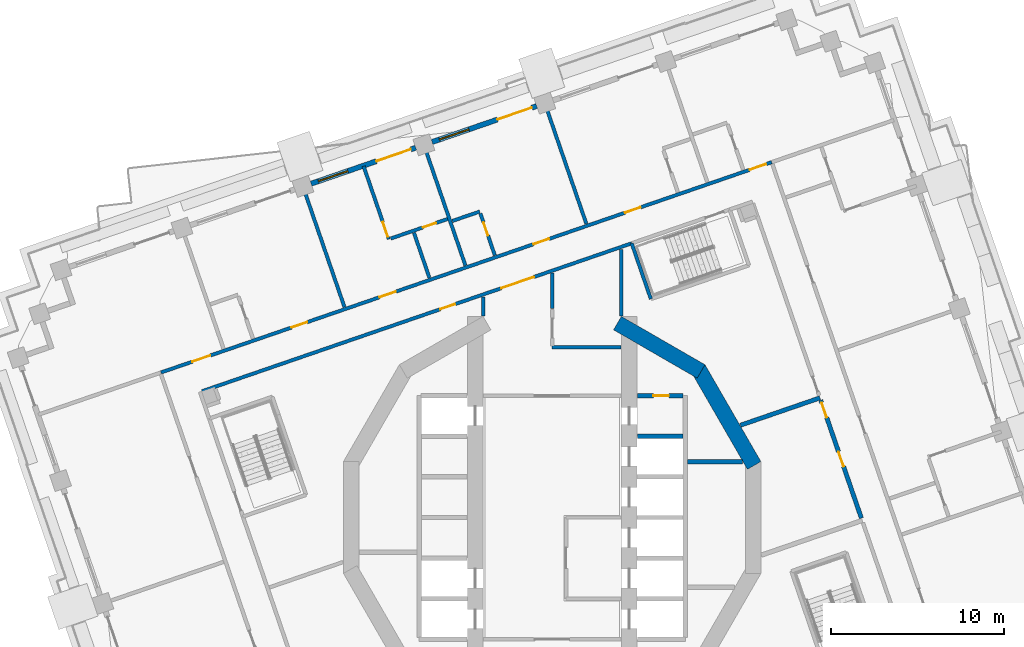
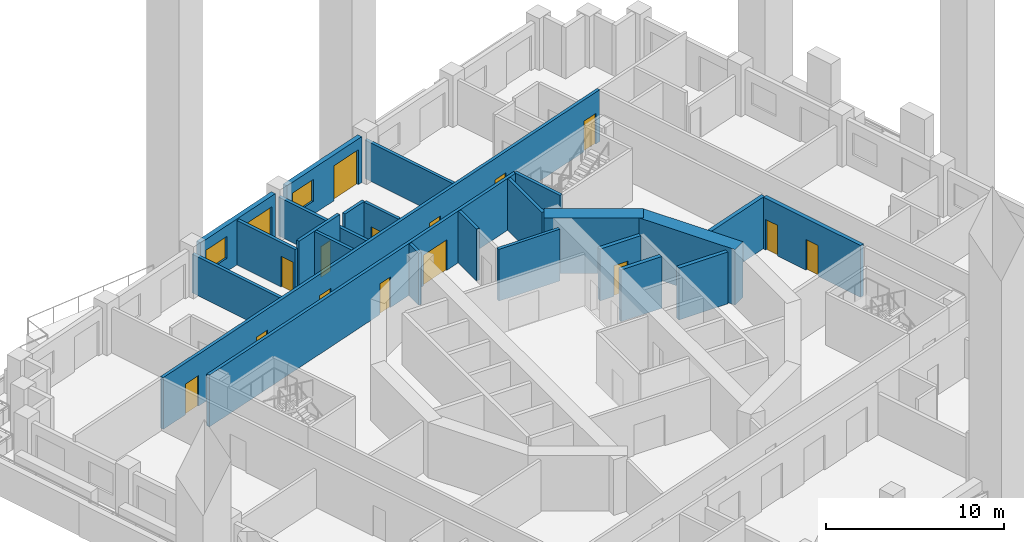
# One storey, part 7 of 18: 24 walls, 16 doors, 2 windows, 18 openings.
"""IFC4 building model written with IfcOpenShell, lengths in metres."""

from ifc_helpers import new_model, si_unit, direction, frame, frame_2d, origin, place, context, subcontext, project, spatial, rectangle, extrude, material, layer, layer_set, type_object, element, fill, save


model = new_model("IFC4")

# Units and contexts
model_context = context("Model", 3, precision=1e-05, world=origin(), true_north=direction((0.0, 1.0)))
body_context = subcontext(model_context, "Body", "Model", "MODEL_VIEW")
ifc_project = project(units=[si_unit("LENGTHUNIT", "METRE"), si_unit("AREAUNIT", "SQUARE_METRE"), si_unit("VOLUMEUNIT", "CUBIC_METRE"), si_unit("PLANEANGLEUNIT", "RADIAN"), si_unit("MASSUNIT", "GRAM", prefix="KILO")], contexts=[model_context])

# Site, building, storey
site_placement = place(None, origin())
site = spatial("IfcSite", under=ifc_project, at=site_placement, CompositionType="ELEMENT")
building_placement = place(site_placement, origin())
building = spatial("IfcBuilding", under=site, at=building_placement, Name="Cantera Rosa Tower", CompositionType="ELEMENT")
storey_placement = place(building_placement, frame((0.0, 0.0, 100.300048828125)))
storey = spatial("IfcBuildingStorey", under=building, at=storey_placement, Name="L19", CompositionType="ELEMENT", Elevation=100.300048828125)

# Walls
ifc_material_1 = material(Name="Gypsum board partition")
ifc_layer_1 = layer(ifc_material_1, 0.199951171875)
ifc_layer_set_1 = layer_set([ifc_layer_1], Name="CORRIDOR WALL 200 H3550")
wall_type_1 = type_object("IfcWallType", Name="CORRIDOR WALL 200 H3550", PredefinedType="PARTITIONING", material=ifc_layer_set_1)
wall_1_placement = place(storey_placement, frame((-4.0, 12.760498046875, 0.0), z_axis=(0.0, 0.0, 1.0), x_axis=(0.0, -1.0, 0.0)))
element("IfcWall", 1, at=wall_1_placement, inside=storey, type_object=wall_type_1, Name="CORRIDOR WALL L19-048", PredefinedType="PARTITIONING", context=body_context, shape_type="SweptSolid", body=[
    extrude(rectangle(XDim=1.09326171875, YDim=0.199951171875, at=frame_2d((0.546630859375, 0.0))), origin(), (0.0, 0.0, 1.0), 3.550048828125),
])
wall_2_placement = place(storey_placement, frame((0.0, 9.85009765625, 0.0), z_axis=(0.0, 0.0, 1.0), x_axis=(1.0, 0.0, 0.0)))
element("IfcWall", 2, at=wall_2_placement, inside=storey, type_object=wall_type_1, Name="CORRIDOR WALL L19-053", PredefinedType="PARTITIONING", context=body_context, shape_type="SweptSolid", body=[
    extrude(rectangle(XDim=3.969970703125, YDim=0.199951171875, at=frame_2d((1.98486328125, 0.0))), origin(), (0.0, 0.0, 1.0), 3.550048828125),
])
wall_3_placement = place(storey_placement, frame((0.0, 14.137939453125, 0.0), z_axis=(0.0, 0.0, 1.0), x_axis=(0.0, -1.0, 0.0)))
element("IfcWall", 3, at=wall_3_placement, inside=storey, type_object=wall_type_1, Name="CORRIDOR WALL L19-055", PredefinedType="PARTITIONING", context=body_context, shape_type="SweptSolid", body=[
    extrude(rectangle(XDim=2.033935546875, YDim=0.199951171875, at=frame_2d((1.01708984375, 0.0))), origin(), (0.0, 0.0, 1.0), 3.550048828125),
])

# Wall, openings, doors
wall_4_placement = place(storey_placement, frame((4.599365234375, 15.861572265625, 0.0), z_axis=(0.0, 0.0, 1.0), x_axis=(-0.94551912499, -0.325566558907, 0.0)))
wall_4 = element("IfcWall", 4, at=wall_4_placement, inside=storey, type_object=wall_type_1, Name="CORRIDOR WALL L19-063", PredefinedType="PARTITIONING", context=body_context, shape_type="SweptSolid", body=[
    extrude(rectangle(XDim=26.292724609375, YDim=0.199951171875, at=frame_2d((13.146484375, 0.0))), origin(), (0.0, 0.0, 1.0), 3.550048828125),
])
opening_1_placement = place(wall_4_placement, frame((10.8095703125, 0.0, 0.0)))
opening_1 = element("IfcOpeningElement", 5, at=opening_1_placement, cuts=wall_4, Name="Opening L19-005", PredefinedType="OPENING", context=body_context, shape_type="SweptSolid", body=[
    extrude(rectangle(XDim=0.89990234375, YDim=2.10009765625, at=frame_2d((0.449951171875, 1.050048828125))), frame((0.0, 0.10986328125, 0.0), z_axis=(0.0, -1.0, 0.0), x_axis=(1.0, 0.0, 0.0)), (0.0, 0.0, 1.0), 0.219970703125),
])
opening_2_placement = place(wall_4_placement, frame((5.9794921875, 0.0, 0.0)))
opening_2 = element("IfcOpeningElement", 6, at=opening_2_placement, cuts=wall_4, Name="Opening L19-010", PredefinedType="OPENING", context=body_context, shape_type="SweptSolid", body=[
    extrude(rectangle(XDim=2.0, YDim=2.10009765625, at=frame_2d((1.0, 1.050048828125))), frame((0.0, 0.10986328125, 0.0), z_axis=(0.0, -1.0, 0.0), x_axis=(1.0, 0.0, 0.0)), (0.0, 0.0, 1.0), 0.219970703125),
])
ifc_material_2 = material(Name="Steel S355J2 (EN 10025-2)", Category="steel")
door_type_1 = type_object("IfcDoorType", Name="LOBBY SCREEN DOOR 2000x2100", OperationType="NOTDEFINED", PredefinedType="DOOR", material=ifc_material_2)
door_1_placement = place(opening_2_placement, origin())
door_1 = element("IfcDoor", 7, at=door_1_placement, inside=storey, type_object=door_type_1, Name="DOOR L19-010", OperationType="NOTDEFINED", OverallHeight=2.10009765625, OverallWidth=2.0, PredefinedType="DOOR", context=body_context, shape_type="SweptSolid", body=[
    extrude(rectangle(XDim=2.0, YDim=2.10009765625, at=frame_2d((1.0, 1.050048828125))), frame((0.0, 0.02490234375, 0.0), z_axis=(0.0, -1.0, 0.0), x_axis=(1.0, 0.0, 0.0)), (0.0, 0.0, 1.0), 0.050048828125),
])
fill(opening_2, door_1)
ifc_material_3 = material(Name="Timber door leaf", Category="wood")
door_type_2 = type_object("IfcDoorType", Name="SERVICE DOOR 900x2100", OperationType="NOTDEFINED", PredefinedType="DOOR", material=ifc_material_3)
door_2_placement = place(opening_1_placement, origin())
door_2 = element("IfcDoor", 8, at=door_2_placement, inside=storey, type_object=door_type_2, Name="DOOR L19-005", OperationType="NOTDEFINED", OverallHeight=2.10009765625, OverallWidth=0.89990234375, PredefinedType="DOOR", context=body_context, shape_type="SweptSolid", body=[
    extrude(rectangle(XDim=0.89990234375, YDim=2.10009765625, at=frame_2d((0.449951171875, 1.050048828125))), frame((0.0, 0.02490234375, 0.0), z_axis=(0.0, -1.0, 0.0), x_axis=(1.0, 0.0, 0.0)), (0.0, 0.0, 1.0), 0.050048828125),
])
fill(opening_1, door_2)

wall_5_placement = place(storey_placement, frame((12.699951171875, 20.5546875, 0.0), z_axis=(0.0, 0.0, 1.0), x_axis=(-0.945517404909, -0.325571554368, 0.0)))
wall_5 = element("IfcWall", 9, at=wall_5_placement, inside=storey, type_object=wall_type_1, Name="CORRIDOR WALL L19-087", PredefinedType="PARTITIONING", context=body_context, shape_type="SweptSolid", body=[
    extrude(rectangle(XDim=37.35986328125, YDim=0.199951171875, at=frame_2d((18.679931640625, 0.0))), origin(), (0.0, 0.0, 1.0), 3.550048828125),
])
opening_3_placement = place(wall_5_placement, frame((8.02490234375, 0.0, 0.0)))
opening_3 = element("IfcOpeningElement", 10, at=opening_3_placement, cuts=wall_5, Name="Opening L19-024", PredefinedType="OPENING", context=body_context, shape_type="SweptSolid", body=[
    extrude(rectangle(XDim=0.949951171875, YDim=2.10009765625, at=frame_2d((0.47509765625, 1.050048828125))), frame((0.0, 0.10986328125, 0.0), z_axis=(0.0, -1.0, 0.0), x_axis=(1.0, 0.0, 0.0)), (0.0, 0.0, 1.0), 0.219970703125),
])
opening_4_placement = place(wall_5_placement, frame((13.625, 0.0, 0.0)))
opening_4 = element("IfcOpeningElement", 11, at=opening_4_placement, cuts=wall_5, Name="Opening L19-026", PredefinedType="OPENING", context=body_context, shape_type="SweptSolid", body=[
    extrude(rectangle(XDim=0.949951171875, YDim=2.10009765625, at=frame_2d((0.47509765625, 1.050048828125))), frame((0.0, 0.10986328125, 0.0), z_axis=(0.0, -1.0, 0.0), x_axis=(1.0, 0.0, 0.0)), (0.0, 0.0, 1.0), 0.219970703125),
])
opening_5_placement = place(wall_5_placement, frame((23.0, 0.0, 0.0)))
opening_5 = element("IfcOpeningElement", 12, at=opening_5_placement, cuts=wall_5, Name="Opening L19-028", PredefinedType="OPENING", context=body_context, shape_type="SweptSolid", body=[
    extrude(rectangle(XDim=1.0, YDim=2.10009765625, at=frame_2d((0.5, 1.050048828125))), frame((0.0, 0.10986328125, 0.0), z_axis=(0.0, -1.0, 0.0), x_axis=(1.0, 0.0, 0.0)), (0.0, 0.0, 1.0), 0.219970703125),
])
opening_6_placement = place(wall_5_placement, frame((28.425048828125, 0.0, 0.0)))
opening_6 = element("IfcOpeningElement", 13, at=opening_6_placement, cuts=wall_5, Name="Opening L19-031", PredefinedType="OPENING", context=body_context, shape_type="SweptSolid", body=[
    extrude(rectangle(XDim=0.949951171875, YDim=2.10009765625, at=frame_2d((0.47509765625, 1.050048828125))), frame((0.0, 0.10986328125, 0.0), z_axis=(0.0, -1.0, 0.0), x_axis=(1.0, 0.0, 0.0)), (0.0, 0.0, 1.0), 0.219970703125),
])
opening_7_placement = place(wall_5_placement, frame((0.35009765625, 0.0, 0.0)))
opening_7 = element("IfcOpeningElement", 14, at=opening_7_placement, cuts=wall_5, Name="Opening L19-033", PredefinedType="OPENING", context=body_context, shape_type="SweptSolid", body=[
    extrude(rectangle(XDim=1.0, YDim=2.10009765625, at=frame_2d((0.5, 1.050048828125))), frame((0.0, 0.10986328125, 0.0), z_axis=(0.0, -1.0, 0.0), x_axis=(1.0, 0.0, 0.0)), (0.0, 0.0, 1.0), 0.219970703125),
])
opening_8_placement = place(wall_5_placement, frame((34.35009765625, 0.0, 0.0)))
opening_8 = element("IfcOpeningElement", 15, at=opening_8_placement, cuts=wall_5, Name="Opening L19-035", PredefinedType="OPENING", context=body_context, shape_type="SweptSolid", body=[
    extrude(rectangle(XDim=1.10009765625, YDim=2.10009765625, at=frame_2d((0.550048828125, 1.050048828125))), frame((0.0, 0.10986328125, 0.0), z_axis=(0.0, -1.0, 0.0), x_axis=(1.0, 0.0, 0.0)), (0.0, 0.0, 1.0), 0.219970703125),
])
ifc_material_4 = material(Name="Timber door leaf", Category="wood")
door_type_3 = type_object("IfcDoorType", Name="ENTRANCE DOOR 1000x2100", OperationType="NOTDEFINED", PredefinedType="DOOR", material=ifc_material_4)
door_3_placement = place(opening_5_placement, origin())
door_3 = element("IfcDoor", 16, at=door_3_placement, inside=storey, type_object=door_type_3, Name="DOOR L19-028", OperationType="NOTDEFINED", OverallHeight=2.10009765625, OverallWidth=1.0, PredefinedType="DOOR", context=body_context, shape_type="SweptSolid", body=[
    extrude(rectangle(XDim=1.0, YDim=2.10009765625, at=frame_2d((0.5, 1.050048828125))), frame((0.0, 0.02490234375, 0.0), z_axis=(0.0, -1.0, 0.0), x_axis=(1.0, 0.0, 0.0)), (0.0, 0.0, 1.0), 0.050048828125),
])
fill(opening_5, door_3)
door_4_placement = place(opening_7_placement, origin())
door_4 = element("IfcDoor", 17, at=door_4_placement, inside=storey, type_object=door_type_3, Name="DOOR L19-033", OperationType="NOTDEFINED", OverallHeight=2.10009765625, OverallWidth=1.0, PredefinedType="DOOR", context=body_context, shape_type="SweptSolid", body=[
    extrude(rectangle(XDim=1.0, YDim=2.10009765625, at=frame_2d((0.5, 1.050048828125))), frame((0.0, 0.02490234375, 0.0), z_axis=(0.0, -1.0, 0.0), x_axis=(1.0, 0.0, 0.0)), (0.0, 0.0, 1.0), 0.050048828125),
])
fill(opening_7, door_4)
ifc_material_5 = material(Name="Timber door leaf", Category="wood")
door_type_4 = type_object("IfcDoorType", Name="ROOM DOOR 1100x2100", OperationType="NOTDEFINED", PredefinedType="DOOR", material=ifc_material_5)
door_5_placement = place(opening_8_placement, origin())
door_5 = element("IfcDoor", 18, at=door_5_placement, inside=storey, type_object=door_type_4, Name="DOOR L19-035", OperationType="NOTDEFINED", OverallHeight=2.10009765625, OverallWidth=1.10009765625, PredefinedType="DOOR", context=body_context, shape_type="SweptSolid", body=[
    extrude(rectangle(XDim=1.10009765625, YDim=2.10009765625, at=frame_2d((0.550048828125, 1.050048828125))), frame((0.0, 0.02490234375, 0.0), z_axis=(0.0, -1.0, 0.0), x_axis=(1.0, 0.0, 0.0)), (0.0, 0.0, 1.0), 0.050048828125),
])
fill(opening_8, door_5)
ifc_material_6 = material(Name="Timber door leaf", Category="wood")
door_type_5 = type_object("IfcDoorType", Name="ROOM DOOR 950x2100", OperationType="NOTDEFINED", PredefinedType="DOOR", material=ifc_material_6)
door_6_placement = place(opening_3_placement, origin())
door_6 = element("IfcDoor", 19, at=door_6_placement, inside=storey, type_object=door_type_5, Name="DOOR L19-024", OperationType="NOTDEFINED", OverallHeight=2.10009765625, OverallWidth=0.949951171875, PredefinedType="DOOR", context=body_context, shape_type="SweptSolid", body=[
    extrude(rectangle(XDim=0.949951171875, YDim=2.10009765625, at=frame_2d((0.47509765625, 1.050048828125))), frame((0.0, 0.02490234375, 0.0), z_axis=(0.0, -1.0, 0.0), x_axis=(1.0, 0.0, 0.0)), (0.0, 0.0, 1.0), 0.050048828125),
])
fill(opening_3, door_6)
door_7_placement = place(opening_4_placement, origin())
door_7 = element("IfcDoor", 20, at=door_7_placement, inside=storey, type_object=door_type_5, Name="DOOR L19-026", OperationType="NOTDEFINED", OverallHeight=2.10009765625, OverallWidth=0.949951171875, PredefinedType="DOOR", context=body_context, shape_type="SweptSolid", body=[
    extrude(rectangle(XDim=0.949951171875, YDim=2.10009765625, at=frame_2d((0.47509765625, 1.050048828125))), frame((0.0, 0.02490234375, 0.0), z_axis=(0.0, -1.0, 0.0), x_axis=(1.0, 0.0, 0.0)), (0.0, 0.0, 1.0), 0.050048828125),
])
fill(opening_4, door_7)
door_8_placement = place(opening_6_placement, origin())
door_8 = element("IfcDoor", 21, at=door_8_placement, inside=storey, type_object=door_type_5, Name="DOOR L19-031", OperationType="NOTDEFINED", OverallHeight=2.10009765625, OverallWidth=0.949951171875, PredefinedType="DOOR", context=body_context, shape_type="SweptSolid", body=[
    extrude(rectangle(XDim=0.949951171875, YDim=2.10009765625, at=frame_2d((0.47509765625, 1.050048828125))), frame((0.0, 0.02490234375, 0.0), z_axis=(0.0, -1.0, 0.0), x_axis=(1.0, 0.0, 0.0)), (0.0, 0.0, 1.0), 0.050048828125),
])
fill(opening_6, door_8)

# Wall, openings, window, door
ifc_material_7 = material(Name="Hollow clay masonry with cantera stone cladding", Category="masonry")
ifc_layer_2 = layer(ifc_material_7, 0.300048828125)
ifc_layer_set_2 = layer_set([ifc_layer_2], Name="EW-LOGGIA 300 H3140")
wall_type_2 = type_object("IfcWallType", Name="EW-LOGGIA 300 H3140", PredefinedType="SOLIDWALL", material=ifc_layer_set_2)
wall_6_placement = place(storey_placement, frame((-0.89892578125, 23.80419921875, 0.0), z_axis=(0.0, 0.0, 1.0), x_axis=(-0.945524496524, -0.325550958337, 0.0)))
wall_6 = element("IfcWall", 22, at=wall_6_placement, inside=storey, type_object=wall_type_2, Name="EN-L19-W10", PredefinedType="SOLIDWALL", context=body_context, shape_type="SweptSolid", body=[
    extrude(rectangle(XDim=6.39990234375, YDim=0.300048828125, at=frame_2d((3.199951171875, 0.0))), origin(), (0.0, 0.0, 1.0), 3.139892578125),
])
opening_9_placement = place(wall_6_placement, frame((0.300048828125, 0.0, 0.0)))
opening_9 = element("IfcOpeningElement", 23, at=opening_9_placement, cuts=wall_6, Name="Opening L19-TD15", PredefinedType="OPENING", context=body_context, shape_type="SweptSolid", body=[
    extrude(rectangle(XDim=2.10009765625, YDim=2.39990234375, at=frame_2d((1.050048828125, 1.199951171875))), frame((0.0, 0.159912109375, 0.0), z_axis=(0.0, -1.0, 0.0), x_axis=(1.0, 0.0, 0.0)), (0.0, 0.0, 1.0), 0.320068359375),
])
opening_10_placement = place(wall_6_placement, frame((4.14990234375, 0.0, 0.89990234375)))
opening_10 = element("IfcOpeningElement", 24, at=opening_10_placement, cuts=wall_6, Name="Opening L19-W16", PredefinedType="OPENING", context=body_context, shape_type="SweptSolid", body=[
    extrude(rectangle(XDim=1.800048828125, YDim=1.5, at=frame_2d((0.89990234375, 0.75))), frame((0.0, 0.159912109375, 0.0), z_axis=(0.0, -1.0, 0.0), x_axis=(1.0, 0.0, 0.0)), (0.0, 0.0, 1.0), 0.320068359375),
])
ifc_material_8 = material(Name="Aluminium frame with clear glass", Category="aluminium")
window_type = type_object("IfcWindowType", Name="Hotel room window 1800x1500", PartitioningType="DOUBLE_PANEL_VERTICAL", PredefinedType="WINDOW", material=ifc_material_8)
window_1_placement = place(opening_10_placement, origin())
window_1 = element("IfcWindow", 25, at=window_1_placement, inside=storey, type_object=window_type, Name="WINDOW L19-W16", OverallHeight=1.5, OverallWidth=1.800048828125, PartitioningType="SINGLE_PANEL", PredefinedType="WINDOW", context=body_context, shape_type="SweptSolid", body=[
    extrude(rectangle(XDim=1.800048828125, YDim=1.5, at=frame_2d((0.89990234375, 0.75))), frame((0.0, 0.030029296875, 0.0), z_axis=(0.0, -1.0, 0.0), x_axis=(1.0, 0.0, 0.0)), (0.0, 0.0, 1.0), 0.06005859375),
])
fill(opening_10, window_1)
ifc_material_9 = material(Name="Aluminium frame with clear glass", Category="aluminium")
door_type_6 = type_object("IfcDoorType", Name="TD-H 2100x2400", OperationType="NOTDEFINED", PredefinedType="DOOR", material=ifc_material_9)
door_9_placement = place(opening_9_placement, origin())
door_9 = element("IfcDoor", 26, at=door_9_placement, inside=storey, type_object=door_type_6, Name="LOGGIA DOOR L19-TD15", OperationType="SLIDING_TO_LEFT", OverallHeight=2.39990234375, OverallWidth=2.10009765625, PredefinedType="DOOR", context=body_context, shape_type="SweptSolid", body=[
    extrude(rectangle(XDim=2.10009765625, YDim=2.39990234375, at=frame_2d((1.050048828125, 1.199951171875))), frame((0.0, 0.02490234375, 0.0), z_axis=(0.0, -1.0, 0.0), x_axis=(1.0, 0.0, 0.0)), (0.0, 0.0, 1.0), 0.050048828125),
])
fill(opening_9, door_9)

wall_7_placement = place(storey_placement, frame((-7.895751953125, 21.39501953125, 0.0), z_axis=(0.0, 0.0, 1.0), x_axis=(-0.945524496524, -0.325550958337, 0.0)))
wall_7 = element("IfcWall", 27, at=wall_7_placement, inside=storey, type_object=wall_type_2, Name="EN-L19-W11", PredefinedType="SOLIDWALL", context=body_context, shape_type="SweptSolid", body=[
    extrude(rectangle(XDim=6.39990234375, YDim=0.300048828125, at=frame_2d((3.199951171875, 0.0))), origin(), (0.0, 0.0, 1.0), 3.139892578125),
])
opening_11_placement = place(wall_7_placement, frame((0.300048828125, 0.0, 0.0)))
opening_11 = element("IfcOpeningElement", 28, at=opening_11_placement, cuts=wall_7, Name="Opening L19-TD17", PredefinedType="OPENING", context=body_context, shape_type="SweptSolid", body=[
    extrude(rectangle(XDim=2.10009765625, YDim=2.39990234375, at=frame_2d((1.050048828125, 1.199951171875))), frame((0.0, 0.159912109375, 0.0), z_axis=(0.0, -1.0, 0.0), x_axis=(1.0, 0.0, 0.0)), (0.0, 0.0, 1.0), 0.320068359375),
])
opening_12_placement = place(wall_7_placement, frame((4.14990234375, 0.0, 0.89990234375)))
opening_12 = element("IfcOpeningElement", 29, at=opening_12_placement, cuts=wall_7, Name="Opening L19-W18", PredefinedType="OPENING", context=body_context, shape_type="SweptSolid", body=[
    extrude(rectangle(XDim=1.800048828125, YDim=1.5, at=frame_2d((0.89990234375, 0.75))), frame((0.0, 0.159912109375, 0.0), z_axis=(0.0, -1.0, 0.0), x_axis=(1.0, 0.0, 0.0)), (0.0, 0.0, 1.0), 0.320068359375),
])
window_2_placement = place(opening_12_placement, origin())
window_2 = element("IfcWindow", 30, at=window_2_placement, inside=storey, type_object=window_type, Name="WINDOW L19-W18", OverallHeight=1.5, OverallWidth=1.800048828125, PartitioningType="SINGLE_PANEL", PredefinedType="WINDOW", context=body_context, shape_type="SweptSolid", body=[
    extrude(rectangle(XDim=1.800048828125, YDim=1.5, at=frame_2d((0.89990234375, 0.75))), frame((0.0, 0.030029296875, 0.0), z_axis=(0.0, -1.0, 0.0), x_axis=(1.0, 0.0, 0.0)), (0.0, 0.0, 1.0), 0.06005859375),
])
fill(opening_12, window_2)
door_10_placement = place(opening_11_placement, origin())
door_10 = element("IfcDoor", 31, at=door_10_placement, inside=storey, type_object=door_type_6, Name="LOGGIA DOOR L19-TD17", OperationType="SLIDING_TO_LEFT", OverallHeight=2.39990234375, OverallWidth=2.10009765625, PredefinedType="DOOR", context=body_context, shape_type="SweptSolid", body=[
    extrude(rectangle(XDim=2.10009765625, YDim=2.39990234375, at=frame_2d((1.050048828125, 1.199951171875))), frame((0.0, 0.02490234375, 0.0), z_axis=(0.0, -1.0, 0.0), x_axis=(1.0, 0.0, 0.0)), (0.0, 0.0, 1.0), 0.050048828125),
])
fill(opening_11, door_10)

# Wall, opening, door
ifc_material_10 = material(Name="Gypsum board partition")
ifc_layer_3 = layer(ifc_material_10, 0.199951171875)
ifc_layer_set_3 = layer_set([ifc_layer_3], Name="PARTITION 200 H3050")
wall_type_3 = type_object("IfcWallType", Name="PARTITION 200 H3050", PredefinedType="PARTITIONING", material=ifc_layer_set_3)
wall_8_placement = place(storey_placement, frame((-9.456298828125, 16.098388671875, 0.0), z_axis=(0.0, 0.0, 1.0), x_axis=(-0.325568171973, 0.945518569568, 0.0)))
wall_8 = element("IfcWall", 32, at=wall_8_placement, inside=storey, type_object=wall_type_3, Name="PARTITION L19-029", PredefinedType="PARTITIONING", context=body_context, shape_type="SweptSolid", body=[
    extrude(rectangle(XDim=4.47021484375, YDim=0.199951171875, at=frame_2d((2.235107421875, 0.0))), origin(), (0.0, 0.0, 1.0), 3.050048828125),
])
opening_13_placement = place(wall_8_placement, frame((0.14990234375, 0.0, 0.0)))
opening_13 = element("IfcOpeningElement", 33, at=opening_13_placement, cuts=wall_8, Name="Opening L19-029", PredefinedType="OPENING", context=body_context, shape_type="SweptSolid", body=[
    extrude(rectangle(XDim=0.89990234375, YDim=2.10009765625, at=frame_2d((0.449951171875, 1.050048828125))), frame((0.0, 0.10986328125, 0.0), z_axis=(0.0, -1.0, 0.0), x_axis=(1.0, 0.0, 0.0)), (0.0, 0.0, 1.0), 0.219970703125),
])
ifc_material_11 = material(Name="Timber door leaf", Category="wood")
door_type_7 = type_object("IfcDoorType", Name="ROOM DOOR 900x2100", OperationType="NOTDEFINED", PredefinedType="DOOR", material=ifc_material_11)
door_11_placement = place(opening_13_placement, origin())
door_11 = element("IfcDoor", 34, at=door_11_placement, inside=storey, type_object=door_type_7, Name="DOOR L19-029", OperationType="NOTDEFINED", OverallHeight=2.10009765625, OverallWidth=0.89990234375, PredefinedType="DOOR", context=body_context, shape_type="SweptSolid", body=[
    extrude(rectangle(XDim=0.89990234375, YDim=2.10009765625, at=frame_2d((0.449951171875, 1.050048828125))), frame((0.0, 0.02490234375, 0.0), z_axis=(0.0, -1.0, 0.0), x_axis=(1.0, 0.0, 0.0)), (0.0, 0.0, 1.0), 0.050048828125),
])
fill(opening_13, door_11)

# Wall
ifc_material_12 = material(Name="Gypsum board partition")
ifc_layer_4 = layer(ifc_material_12, 0.199951171875)
ifc_layer_set_4 = layer_set([ifc_layer_4], Name="PARTITION 200 H3550")
wall_type_4 = type_object("IfcWallType", Name="PARTITION 200 H3550", PredefinedType="PARTITIONING", material=ifc_layer_set_4)
wall_9_placement = place(storey_placement, frame((-7.100341796875, 13.863525390625, 0.0), z_axis=(0.0, 0.0, 1.0), x_axis=(-0.325579051861, 0.945514823252, 0.0)))
element("IfcWall", 35, at=wall_9_placement, inside=storey, type_object=wall_type_4, Name="PARTITION L19-039", PredefinedType="PARTITIONING", context=body_context, shape_type="SweptSolid", body=[
    extrude(rectangle(XDim=2.76025390625, YDim=0.199951171875, at=frame_2d((1.380126953125, 0.0))), origin(), (0.0, 0.0, 1.0), 3.550048828125),
])

# Wall, opening, door
wall_10_placement = place(storey_placement, frame((-6.052490234375, 17.2705078125, 0.0), z_axis=(0.0, 0.0, 1.0), x_axis=(-0.945515283852, -0.325577714228, 0.0)))
wall_10 = element("IfcWall", 36, at=wall_10_placement, inside=storey, type_object=wall_type_4, Name="PARTITION L19-041", PredefinedType="PARTITIONING", context=body_context, shape_type="SweptSolid", body=[
    extrude(rectangle(XDim=3.480224609375, YDim=0.199951171875, at=frame_2d((1.740234375, 0.0))), origin(), (0.0, 0.0, 1.0), 3.550048828125),
])
opening_14_placement = place(wall_10_placement, frame((0.7099609375, 0.0, 0.0)))
opening_14 = element("IfcOpeningElement", 37, at=opening_14_placement, cuts=wall_10, Name="Opening L19-030", PredefinedType="OPENING", context=body_context, shape_type="SweptSolid", body=[
    extrude(rectangle(XDim=0.800048828125, YDim=2.10009765625, at=frame_2d((0.39990234375, 1.050048828125))), frame((0.0, 0.10986328125, 0.0), z_axis=(0.0, -1.0, 0.0), x_axis=(1.0, 0.0, 0.0)), (0.0, 0.0, 1.0), 0.219970703125),
])
ifc_material_13 = material(Name="Timber door leaf", Category="wood")
door_type_8 = type_object("IfcDoorType", Name="BATHROOM DOOR 800x2100", OperationType="NOTDEFINED", PredefinedType="DOOR", material=ifc_material_13)
door_12_placement = place(opening_14_placement, origin())
door_12 = element("IfcDoor", 38, at=door_12_placement, inside=storey, type_object=door_type_8, Name="DOOR L19-030", OperationType="NOTDEFINED", OverallHeight=2.10009765625, OverallWidth=0.800048828125, PredefinedType="DOOR", context=body_context, shape_type="SweptSolid", body=[
    extrude(rectangle(XDim=0.800048828125, YDim=2.10009765625, at=frame_2d((0.39990234375, 1.050048828125))), frame((0.0, 0.02490234375, 0.0), z_axis=(0.0, -1.0, 0.0), x_axis=(1.0, 0.0, 0.0)), (0.0, 0.0, 1.0), 0.050048828125),
])
fill(opening_14, door_12)

# Wall
wall_11_placement = place(storey_placement, frame((-5.779296875, 17.153076171875, 0.0), z_axis=(0.0, 0.0, 1.0), x_axis=(0.945527319301, 0.325542759796, 0.0)))
element("IfcWall", 39, at=wall_11_placement, inside=storey, type_object=wall_type_4, Name="PARTITION L19-042", PredefinedType="PARTITIONING", context=body_context, shape_type="SweptSolid", body=[
    extrude(rectangle(XDim=1.679931640625, YDim=0.199951171875, at=frame_2d((0.83984375, 0.0))), origin(), (0.0, 0.0, 1.0), 3.550048828125),
])

# Wall, opening, door
wall_12_placement = place(storey_placement, frame((-4.15185546875, 17.58642578125, 0.0), z_axis=(0.0, 0.0, 1.0), x_axis=(0.325596805989, -0.9455087096, 0.0)))
wall_12 = element("IfcWall", 40, at=wall_12_placement, inside=storey, type_object=wall_type_4, Name="PARTITION L19-046", PredefinedType="PARTITIONING", context=body_context, shape_type="SweptSolid", body=[
    extrude(rectangle(XDim=2.559814453125, YDim=0.199951171875, at=frame_2d((1.27978515625, 0.0))), origin(), (0.0, 0.0, 1.0), 3.550048828125),
])
opening_15_placement = place(wall_12_placement, frame((0.5439453125, 0.0, 0.0)))
opening_15 = element("IfcOpeningElement", 41, at=opening_15_placement, cuts=wall_12, Name="Opening L19-027", PredefinedType="OPENING", context=body_context, shape_type="SweptSolid", body=[
    extrude(rectangle(XDim=0.800048828125, YDim=2.10009765625, at=frame_2d((0.39990234375, 1.050048828125))), frame((0.0, 0.10986328125, 0.0), z_axis=(0.0, -1.0, 0.0), x_axis=(1.0, 0.0, 0.0)), (0.0, 0.0, 1.0), 0.219970703125),
])
door_13_placement = place(opening_15_placement, origin())
door_13 = element("IfcDoor", 42, at=door_13_placement, inside=storey, type_object=door_type_8, Name="DOOR L19-027", OperationType="NOTDEFINED", OverallHeight=2.10009765625, OverallWidth=0.800048828125, PredefinedType="DOOR", context=body_context, shape_type="SweptSolid", body=[
    extrude(rectangle(XDim=0.800048828125, YDim=2.10009765625, at=frame_2d((0.39990234375, 1.050048828125))), frame((0.0, 0.02490234375, 0.0), z_axis=(0.0, -1.0, 0.0), x_axis=(1.0, 0.0, 0.0)), (0.0, 0.0, 1.0), 0.050048828125),
])
fill(opening_15, door_13)

# Walls
wall_13_placement = place(storey_placement, frame((4.0, 11.667236328125, 0.0), z_axis=(0.0, 0.0, 1.0), x_axis=(0.0, 1.0, 0.0)))
element("IfcWall", 43, at=wall_13_placement, inside=storey, type_object=wall_type_4, Name="PARTITION L19-062", PredefinedType="PARTITIONING", context=body_context, shape_type="SweptSolid", body=[
    extrude(rectangle(XDim=3.847900390625, YDim=0.199951171875, at=frame_2d((1.923828125, 0.0))), origin(), (0.0, 0.0, 1.0), 3.550048828125),
])
ifc_material_14 = material(Name="Gypsum board partition")
ifc_layer_5 = layer(ifc_material_14, 0.199951171875)
ifc_layer_set_5 = layer_set([ifc_layer_5], Name="PARTY WALL 200 H2650")
wall_type_5 = type_object("IfcWallType", Name="PARTY WALL 200 H2650", PredefinedType="PARTITIONING", material=ifc_layer_set_5)
for number, where, z_axis, x_axis, name in (
    (44, (-12.01708984375, 12.170654296875, 0.0), (0.0, 0.0, 1.0), (-0.325549451152, 0.945525015457, 0.0), "PARTY WALL L19-023"),
    (45, (-5.020263671875, 14.579833984375, 0.0), (0.0, 0.0, 1.0), (-0.325549451152, 0.945525015457, 0.0), "PARTY WALL L19-043"),
    (46, (1.9765625, 16.989013671875, 0.0), (0.0, 0.0, 1.0), (-0.325549451152, 0.945525015457, 0.0), "PARTY WALL L19-058"),
):
    element("IfcWall", number, at=place(storey_placement, frame(where, z_axis=z_axis, x_axis=x_axis)), inside=storey, type_object=wall_type_5, Name=name, PredefinedType="PARTITIONING", context=body_context, shape_type="SweptSolid", body=[
        extrude(rectangle(XDim=7.35009765625, YDim=0.199951171875, at=frame_2d((3.675048828125, 0.0))), origin(), (0.0, 0.0, 1.0), 2.64990234375),
    ])
ifc_material_15 = material(Name="Concrete C70/85", Category="concrete")
ifc_layer_6 = layer(ifc_material_15, 0.89990234375)
ifc_layer_set_6 = layer_set([ifc_layer_6], Name="RC CORE WALL 900 C70/85")
wall_type_6 = type_object("IfcWallType", Name="RC CORE WALL 900 C70/85", PredefinedType="SHEAR", material=ifc_layer_set_6)
wall_14_placement = place(storey_placement, frame((3.77490234375, 11.242919921875, 0.0), z_axis=(0.0, 0.0, 1.0), x_axis=(0.866026961591, -0.49999730179, 0.0)))
element("IfcWall", 47, at=wall_14_placement, inside=storey, type_object=wall_type_6, Name="CW-E1 L19", PredefinedType="SHEAR", context=body_context, shape_type="SweptSolid", body=[
    extrude(rectangle(XDim=5.58740234375, YDim=0.89990234375, at=frame_2d((2.793701171875, 0.0))), origin(), (0.0, 0.0, 1.0), 3.800048828125),
])
wall_15_placement = place(storey_placement, frame((8.44921875, 8.61376953125, 0.0), z_axis=(0.0, 0.0, 1.0), x_axis=(0.499990282633, -0.866031014036, 0.0)))
element("IfcWall", 48, at=wall_15_placement, inside=storey, type_object=wall_type_6, Name="CW-E2 L19", PredefinedType="SHEAR", context=body_context, shape_type="SweptSolid", body=[
    extrude(rectangle(XDim=6.470458984375, YDim=0.89990234375, at=frame_2d((3.2353515625, 0.0))), origin(), (0.0, 0.0, 1.0), 3.800048828125),
])
ifc_material_16 = material(Name="Masonry blockwork", Category="masonry")
ifc_layer_7 = layer(ifc_material_16, 0.25)
ifc_layer_set_7 = layer_set([ifc_layer_7], Name="SHAFT WALL 250 H3550")
wall_type_7 = type_object("IfcWallType", Name="SHAFT WALL 250 H3550", PredefinedType="SOLIDWALL", material=ifc_layer_set_7)
wall_16_placement = place(storey_placement, frame((7.824951171875, 3.2236328125, 0.0), z_axis=(0.0, 0.0, 1.0), x_axis=(1.0, 0.0, 0.0)))
element("IfcWall", 49, at=wall_16_placement, inside=storey, type_object=wall_type_7, Name="SHAFT WALL L19-077", PredefinedType="SOLIDWALL", context=body_context, shape_type="SweptSolid", body=[
    extrude(rectangle(XDim=3.181884765625, YDim=0.25, at=frame_2d((1.5908203125, 0.0))), origin(), (0.0, 0.0, 1.0), 3.550048828125),
])
wall_17_placement = place(storey_placement, frame((7.574951171875, 4.699951171875, 0.0), z_axis=(0.0, 0.0, 1.0), x_axis=(-1.0, 0.0, 0.0)))
element("IfcWall", 50, at=wall_17_placement, inside=storey, type_object=wall_type_7, Name="SHAFT WALL L19-078", PredefinedType="SOLIDWALL", context=body_context, shape_type="SweptSolid", body=[
    extrude(rectangle(XDim=2.64501953125, YDim=0.25, at=frame_2d((1.322509765625, 0.0))), origin(), (0.0, 0.0, 1.0), 3.550048828125),
])

# Wall, opening, door
wall_18_placement = place(storey_placement, frame((7.580078125, 7.050048828125, 0.0), z_axis=(0.0, 0.0, 1.0), x_axis=(-1.0, 0.0, 0.0)))
wall_18 = element("IfcWall", 51, at=wall_18_placement, inside=storey, type_object=wall_type_7, Name="SHAFT WALL L19-079", PredefinedType="SOLIDWALL", context=body_context, shape_type="SweptSolid", body=[
    extrude(rectangle(XDim=2.650146484375, YDim=0.25, at=frame_2d((1.3251953125, 0.0))), origin(), (0.0, 0.0, 1.0), 3.550048828125),
])
opening_16_placement = place(wall_18_placement, frame((0.830078125, 0.0, 0.0)))
opening_16 = element("IfcOpeningElement", 52, at=opening_16_placement, cuts=wall_18, Name="Opening L19-051", PredefinedType="OPENING", context=body_context, shape_type="SweptSolid", body=[
    extrude(rectangle(XDim=0.89990234375, YDim=2.10009765625, at=frame_2d((0.449951171875, 1.050048828125))), frame((0.0, 0.135009765625, 0.0), z_axis=(0.0, -1.0, 0.0), x_axis=(1.0, 0.0, 0.0)), (0.0, 0.0, 1.0), 0.27001953125),
])
door_14_placement = place(opening_16_placement, origin())
door_14 = element("IfcDoor", 53, at=door_14_placement, inside=storey, type_object=door_type_2, Name="RISER DOOR L19-051", OperationType="NOTDEFINED", OverallHeight=2.10009765625, OverallWidth=0.89990234375, PredefinedType="DOOR", context=body_context, shape_type="SweptSolid", body=[
    extrude(rectangle(XDim=0.89990234375, YDim=2.10009765625, at=frame_2d((0.449951171875, 1.050048828125))), frame((0.0, 0.02490234375, 0.0), z_axis=(0.0, -1.0, 0.0), x_axis=(1.0, 0.0, 0.0)), (0.0, 0.0, 1.0), 0.050048828125),
])
fill(opening_16, door_14)

# Wall
wall_19_placement = place(storey_placement, frame((15.490966796875, 6.92041015625, 0.0), z_axis=(0.0, 0.0, 1.0), x_axis=(-0.945523393756, -0.325554161177, 0.0)))
element("IfcWall", 54, at=wall_19_placement, inside=storey, type_object=wall_type_7, Name="SHAFT WALL L19-093", PredefinedType="SOLIDWALL", context=body_context, shape_type="SweptSolid", body=[
    extrude(rectangle(XDim=4.861083984375, YDim=0.25, at=frame_2d((2.4306640625, 0.0))), origin(), (0.0, 0.0, 1.0), 3.550048828125),
])

# Wall, openings, doors
wall_20_placement = place(storey_placement, frame((17.88720703125, -0.03857421875, 0.0), z_axis=(0.0, 0.0, 1.0), x_axis=(-0.325565472339, 0.945519499122, 0.0)))
wall_20 = element("IfcWall", 55, at=wall_20_placement, inside=storey, type_object=wall_type_7, Name="SHAFT WALL L19-101", PredefinedType="SOLIDWALL", context=body_context, shape_type="SweptSolid", body=[
    extrude(rectangle(XDim=7.219970703125, YDim=0.25, at=frame_2d((3.60986328125, 0.0))), origin(), (0.0, 0.0, 1.0), 3.550048828125),
])
opening_17_placement = place(wall_20_placement, frame((6.159912109375, 0.0, 0.0)))
opening_17 = element("IfcOpeningElement", 56, at=opening_17_placement, cuts=wall_20, Name="Opening L19-009", PredefinedType="OPENING", context=body_context, shape_type="SweptSolid", body=[
    extrude(rectangle(XDim=0.89990234375, YDim=2.10009765625, at=frame_2d((0.449951171875, 1.050048828125))), frame((0.0, 0.135009765625, 0.0), z_axis=(0.0, -1.0, 0.0), x_axis=(1.0, 0.0, 0.0)), (0.0, 0.0, 1.0), 0.27001953125),
])
opening_18_placement = place(wall_20_placement, frame((3.159912109375, 0.0, 0.0)))
opening_18 = element("IfcOpeningElement", 57, at=opening_18_placement, cuts=wall_20, Name="Opening L19-050", PredefinedType="OPENING", context=body_context, shape_type="SweptSolid", body=[
    extrude(rectangle(XDim=0.89990234375, YDim=2.10009765625, at=frame_2d((0.449951171875, 1.050048828125))), frame((0.0, 0.135009765625, 0.0), z_axis=(0.0, -1.0, 0.0), x_axis=(1.0, 0.0, 0.0)), (0.0, 0.0, 1.0), 0.27001953125),
])
door_15_placement = place(opening_17_placement, origin())
door_15 = element("IfcDoor", 58, at=door_15_placement, inside=storey, type_object=door_type_2, Name="RISER DOOR L19-009", OperationType="NOTDEFINED", OverallHeight=2.10009765625, OverallWidth=0.89990234375, PredefinedType="DOOR", context=body_context, shape_type="SweptSolid", body=[
    extrude(rectangle(XDim=0.89990234375, YDim=2.10009765625, at=frame_2d((0.449951171875, 1.050048828125))), frame((0.0, 0.02490234375, 0.0), z_axis=(0.0, -1.0, 0.0), x_axis=(1.0, 0.0, 0.0)), (0.0, 0.0, 1.0), 0.050048828125),
])
fill(opening_17, door_15)
door_16_placement = place(opening_18_placement, origin())
door_16 = element("IfcDoor", 59, at=door_16_placement, inside=storey, type_object=door_type_2, Name="RISER DOOR L19-050", OperationType="NOTDEFINED", OverallHeight=2.10009765625, OverallWidth=0.89990234375, PredefinedType="DOOR", context=body_context, shape_type="SweptSolid", body=[
    extrude(rectangle(XDim=0.89990234375, YDim=2.10009765625, at=frame_2d((0.449951171875, 1.050048828125))), frame((0.0, 0.02490234375, 0.0), z_axis=(0.0, -1.0, 0.0), x_axis=(1.0, 0.0, 0.0)), (0.0, 0.0, 1.0), 0.050048828125),
])
fill(opening_18, door_16)

# Wall
ifc_material_17 = material(Name="Concrete C50/60", Category="concrete")
ifc_layer_8 = layer(ifc_material_17, 0.199951171875)
ifc_layer_set_8 = layer_set([ifc_layer_8], Name="STAIR WALL 200 H3550")
wall_type_8 = type_object("IfcWallType", Name="STAIR WALL 200 H3550", PredefinedType="SOLIDWALL", material=ifc_layer_set_8)
wall_21_placement = place(storey_placement, frame((4.599365234375, 15.861572265625, 0.0), z_axis=(0.0, 0.0, 1.0), x_axis=(0.325562292844, -0.945520593894, 0.0)))
element("IfcWall", 60, at=wall_21_placement, inside=storey, type_object=wall_type_8, Name="STAIR WALL L19-064", PredefinedType="SOLIDWALL", context=body_context, shape_type="SweptSolid", body=[
    extrude(rectangle(XDim=3.407470703125, YDim=0.199951171875, at=frame_2d((1.70361328125, 0.0))), origin(), (0.0, 0.0, 1.0), 3.550048828125),
])

save(model, "model.ifc")
